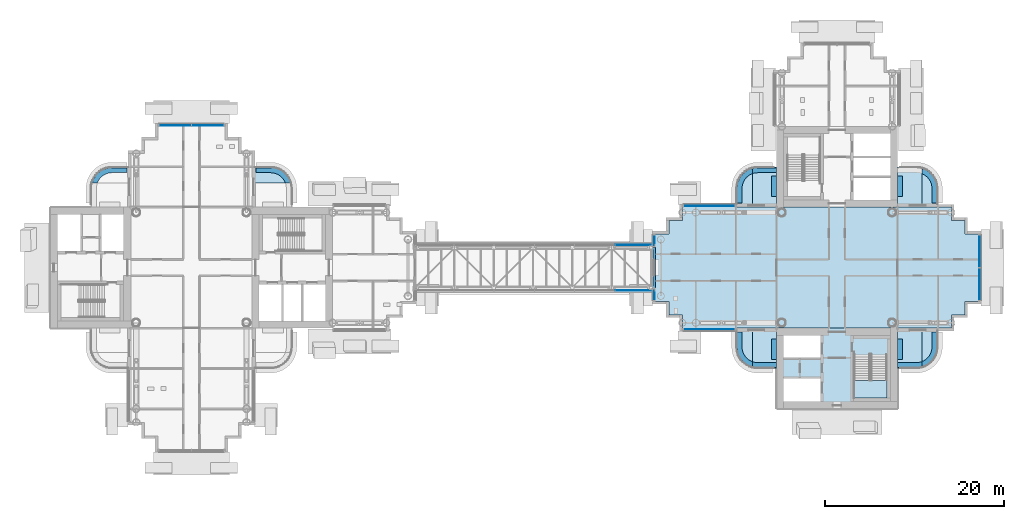
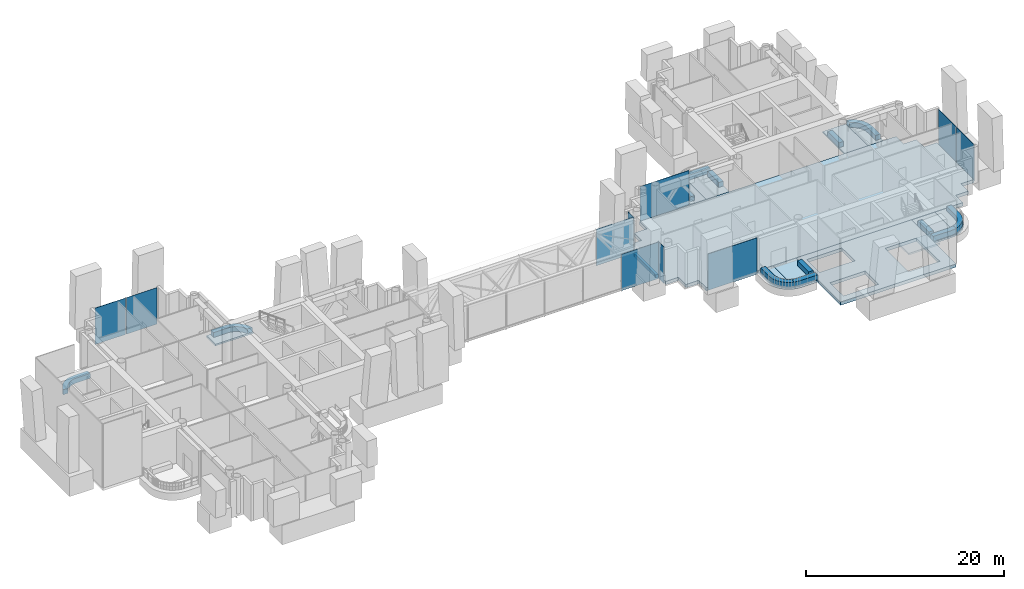
# One storey, part 10 of 26: 26 slabs, 10 plates, 9 elements without a shape of their own.
"""IFC4 building model written with IfcOpenShell, lengths in metres."""

from ifc_helpers import new_model, si_unit, direction, frame, origin, origin_2d, place, context, subcontext, project, spatial, polyline, rectangle, outline, extrude, material, layer, layer_set, type_object, element, aggregate, save


model = new_model("IFC4")

# Units and contexts
model_context = context("Model", 3, precision=1e-05, world=origin(), true_north=direction((0.0, 1.0)))
body_context = subcontext(model_context, "Body", "Model", "MODEL_VIEW")
ifc_project = project(units=[si_unit("LENGTHUNIT", "METRE"), si_unit("AREAUNIT", "SQUARE_METRE"), si_unit("VOLUMEUNIT", "CUBIC_METRE"), si_unit("PLANEANGLEUNIT", "RADIAN"), si_unit("MASSUNIT", "GRAM", prefix="KILO")], contexts=[model_context])

# Site, building, storey
site_placement = place(None, origin())
site = spatial("IfcSite", under=ifc_project, at=site_placement, CompositionType="ELEMENT")
building_placement = place(site_placement, origin())
building = spatial("IfcBuilding", under=site, at=building_placement, Name="Ipe Terrace Towers", CompositionType="ELEMENT")
storey_placement = place(building_placement, frame((0.0, 0.0, 181.300048828125)))
storey = spatial("IfcBuildingStorey", under=building, at=storey_placement, Name="L50", CompositionType="ELEMENT", Elevation=181.300048828125)

# Slabs
ifc_material_1 = material(Name="Concrete C30/37", Category="concrete")
ifc_layer_1 = layer(ifc_material_1, 0.199951171875)
ifc_layer_set_1 = layer_set([ifc_layer_1], Name="BALCONY SLAB 200")
slab_type_1 = type_object("IfcSlabType", Name="BALCONY SLAB 200", PredefinedType="FLOOR", material=ifc_layer_set_1)
slab_1_placement = place(storey_placement, frame((0.0, 0.0, -0.219970703125)))
element("IfcSlab", 1, at=slab_1_placement, inside=storey, type_object=slab_type_1, Name="balcony slab", PredefinedType="FLOOR", context=body_context, shape_type="SweptSolid", body=[
    extrude(outline(polyline([(-29.25, 11.25), (-29.25, 9.449951171875), (-24.827880859375, 9.449951171875), (-24.83203125, 9.470947265625), (-24.93310546875, 9.76806640625), (-25.072021484375, 10.050048828125), (-25.24609375, 10.31103515625), (-25.452880859375, 10.547119140625), (-25.68896484375, 10.75390625), (-25.949951171875, 10.927978515625), (-26.23193359375, 11.06689453125), (-26.529052734375, 11.16796875), (-26.8369140625, 11.22900390625), (-27.14990234375, 11.25), (-29.25, 11.25)])), origin(), (0.0, 0.0, 1.0), 0.199951171875),
])
slab_2_placement = place(storey_placement, frame((0.0, 0.0, -0.219970703125)))
element("IfcSlab", 2, at=slab_2_placement, inside=storey, type_object=slab_type_1, Name="balcony slab", PredefinedType="FLOOR", context=body_context, shape_type="SweptSolid", body=[
    extrude(outline(polyline([(26.8369140625, -11.22900390625), (27.14990234375, -11.25), (29.25, -11.25), (29.25, -6.75), (26.550048828125, -6.75), (26.550048828125, -11.172119140625), (26.8369140625, -11.22900390625)])), origin(), (0.0, 0.0, 1.0), 0.199951171875),
])
slab_3_placement = place(storey_placement, frame((0.0, 0.0, -0.219970703125)))
element("IfcSlab", 3, at=slab_3_placement, inside=storey, type_object=slab_type_1, Name="balcony slab", PredefinedType="FLOOR", context=body_context, shape_type="SweptSolid", body=[
    extrude(outline(polyline([(24.75, -6.75), (24.75, -8.85009765625), (24.77099609375, -9.1630859375), (24.83203125, -9.470947265625), (24.93310546875, -9.76806640625), (25.072021484375, -10.050048828125), (25.24609375, -10.31103515625), (25.452880859375, -10.547119140625), (25.68896484375, -10.75390625), (25.949951171875, -10.927978515625), (26.23193359375, -11.06689453125), (26.529052734375, -11.16796875), (26.550048828125, -11.172119140625), (26.550048828125, -6.75), (24.75, -6.75)])), origin(), (0.0, 0.0, 1.0), 0.199951171875),
])
slab_4_placement = place(storey_placement, frame((0.0, 0.0, -0.219970703125)))
element("IfcSlab", 4, at=slab_4_placement, inside=storey, type_object=slab_type_1, Name="balcony slab", PredefinedType="FLOOR", context=body_context, shape_type="SweptSolid", body=[
    extrude(outline(polyline([(26.8369140625, 11.22900390625), (26.550048828125, 11.172119140625), (26.550048828125, 6.75), (29.25, 6.75), (29.25, 11.25), (27.14990234375, 11.25), (26.8369140625, 11.22900390625)])), origin(), (0.0, 0.0, 1.0), 0.199951171875),
])
slab_5_placement = place(storey_placement, frame((0.0, 0.0, -0.219970703125)))
element("IfcSlab", 5, at=slab_5_placement, inside=storey, type_object=slab_type_1, Name="balcony slab", PredefinedType="FLOOR", context=body_context, shape_type="SweptSolid", body=[
    extrude(outline(polyline([(24.75, 6.75), (26.550048828125, 6.75), (26.550048828125, 11.172119140625), (26.529052734375, 11.16796875), (26.23193359375, 11.06689453125), (25.949951171875, 10.927978515625), (25.68896484375, 10.75390625), (25.452880859375, 10.547119140625), (25.24609375, 10.31103515625), (25.072021484375, 10.050048828125), (24.93310546875, 9.76806640625), (24.83203125, 9.470947265625), (24.77099609375, 9.1630859375), (24.75, 8.85009765625), (24.75, 6.75)])), origin(), (0.0, 0.0, 1.0), 0.199951171875),
])
slab_6_placement = place(storey_placement, frame((0.0, 0.0, -0.219970703125)))
element("IfcSlab", 6, at=slab_6_placement, inside=storey, type_object=slab_type_1, Name="balcony slab", PredefinedType="FLOOR", context=body_context, shape_type="SweptSolid", body=[
    extrude(outline(polyline([(45.1630859375, -11.22900390625), (45.449951171875, -11.172119140625), (45.449951171875, -6.75), (42.75, -6.75), (42.75, -11.25), (44.85009765625, -11.25), (45.1630859375, -11.22900390625)])), origin(), (0.0, 0.0, 1.0), 0.199951171875),
])
slab_7_placement = place(storey_placement, frame((0.0, 0.0, -0.219970703125)))
element("IfcSlab", 7, at=slab_7_placement, inside=storey, type_object=slab_type_1, Name="balcony slab", PredefinedType="FLOOR", context=body_context, shape_type="SweptSolid", body=[
    extrude(outline(polyline([(47.25, -6.75), (45.449951171875, -6.75), (45.449951171875, -11.172119140625), (45.470947265625, -11.16796875), (45.76806640625, -11.06689453125), (46.050048828125, -10.927978515625), (46.31103515625, -10.75390625), (46.547119140625, -10.547119140625), (46.75390625, -10.31103515625), (46.927978515625, -10.050048828125), (47.06689453125, -9.76806640625), (47.16796875, -9.470947265625), (47.22900390625, -9.1630859375), (47.25, -8.85009765625), (47.25, -6.75)])), origin(), (0.0, 0.0, 1.0), 0.199951171875),
])
slab_8_placement = place(storey_placement, frame((0.0, 0.0, -0.219970703125)))
element("IfcSlab", 8, at=slab_8_placement, inside=storey, type_object=slab_type_1, Name="balcony slab", PredefinedType="FLOOR", context=body_context, shape_type="SweptSolid", body=[
    extrude(outline(polyline([(45.1630859375, 11.22900390625), (44.85009765625, 11.25), (42.75, 11.25), (42.75, 6.75), (45.449951171875, 6.75), (45.449951171875, 11.172119140625), (45.1630859375, 11.22900390625)])), origin(), (0.0, 0.0, 1.0), 0.199951171875),
])
slab_9_placement = place(storey_placement, frame((0.0, 0.0, -0.219970703125)))
element("IfcSlab", 9, at=slab_9_placement, inside=storey, type_object=slab_type_1, Name="balcony slab", PredefinedType="FLOOR", context=body_context, shape_type="SweptSolid", body=[
    extrude(outline(polyline([(47.25, 6.75), (47.25, 8.85009765625), (47.22900390625, 9.1630859375), (47.16796875, 9.470947265625), (47.06689453125, 9.76806640625), (46.927978515625, 10.050048828125), (46.75390625, 10.31103515625), (46.547119140625, 10.547119140625), (46.31103515625, 10.75390625), (46.050048828125, 10.927978515625), (45.76806640625, 11.06689453125), (45.470947265625, 11.16796875), (45.449951171875, 11.172119140625), (45.449951171875, 6.75), (47.25, 6.75)])), origin(), (0.0, 0.0, 1.0), 0.199951171875),
])

# Curtain wall, plate
ifc_material_2 = material(Name="Aluminium alloy 6063-T6", Category="aluminium")
ifc_layer_2 = layer(ifc_material_2, 0.300048828125)
ifc_layer_set_2 = layer_set([ifc_layer_2], Name="BRIDGE ENCLOSURE CURTAIN WALL")
curtain_wall_type_1 = type_object("IfcCurtainWallType", Name="BRIDGE ENCLOSURE CURTAIN WALL", PredefinedType="NOTDEFINED", material=ifc_layer_set_2)
curtain_wall_1_placement = place(storey_placement, origin())
curtain_wall_1 = element("IfcCurtainWall", 10, at=curtain_wall_1_placement, inside=storey, type_object=curtain_wall_type_1, Name="BR3-CW1 curtain wall", PredefinedType="NOTDEFINED")
ifc_material_3 = material(Name="Glass, clear laminated", Category="glass")
ifc_layer_3 = layer(ifc_material_3, 0.035888671875)
ifc_layer_set_3 = layer_set([ifc_layer_3], Name="BRIDGE ENCLOSURE GLASS PANEL 36")
plate_type_1 = type_object("IfcPlateType", Name="BRIDGE ENCLOSURE GLASS PANEL 36", PredefinedType="CURTAIN_PANEL", material=ifc_layer_set_3)
plate_1_placement = place(storey_placement, frame((13.470947265625, 2.544921875, -0.300048828125), z_axis=(0.0, 0.0, 1.0), x_axis=(-1.0, 0.0, 0.0)))
plate_1 = element("IfcPlate", 11, at=plate_1_placement, type_object=plate_type_1, Name="BR3-CW1 panel 1", PredefinedType="CURTAIN_PANEL", context=body_context, shape_type="SweptSolid", body=[
    extrude(rectangle(XDim=4.418212890625, YDim=0.035888671875, at=origin_2d()), origin(), (0.0, 0.0, 1.0), 4.5),
])
aggregate(curtain_wall_1, [plate_1])

curtain_wall_2_placement = place(storey_placement, origin())
curtain_wall_2 = element("IfcCurtainWall", 12, at=curtain_wall_2_placement, inside=storey, type_object=curtain_wall_type_1, Name="BR3-CW2 curtain wall", PredefinedType="NOTDEFINED")
plate_2_placement = place(storey_placement, frame((13.470947265625, -2.544921875, -0.300048828125), z_axis=(0.0, 0.0, 1.0), x_axis=(1.0, 0.0, 0.0)))
plate_2 = element("IfcPlate", 13, at=plate_2_placement, type_object=plate_type_1, Name="BR3-CW2 panel 6", PredefinedType="CURTAIN_PANEL", context=body_context, shape_type="SweptSolid", body=[
    extrude(rectangle(XDim=4.418212890625, YDim=0.035888671875, at=origin_2d()), origin(), (0.0, 0.0, 1.0), 4.5),
])
aggregate(curtain_wall_2, [plate_2])

# Slab
ifc_material_4 = material(Name="Concrete C30/37", Category="concrete")
ifc_layer_4 = layer(ifc_material_4, 0.39990234375)
ifc_layer_set_4 = layer_set([ifc_layer_4], Name="CORE FLOOR SLAB 400 C30-37")
slab_type_2 = type_object("IfcSlabType", Name="CORE FLOOR SLAB 400 C30-37", PredefinedType="FLOOR", material=ifc_layer_set_4)
slab_10_placement = place(storey_placement, frame((0.0, 0.0, -0.400146484375)))
element("IfcSlab", 14, at=slab_10_placement, inside=storey, type_object=slab_type_2, Name="Core floor T2-C2", PredefinedType="FLOOR", context=body_context, shape_type="SweptSolid", body=[
    extrude(outline(polyline([(29.25, -15.75), (29.25, -6.75), (42.75, -6.75), (42.75, -15.75), (29.25, -15.75)]), holes=[polyline([(30.050048828125, -12.25), (30.050048828125, -14.949951171875), (34.14990234375, -14.949951171875), (34.14990234375, -12.25), (30.050048828125, -12.25)]), polyline([(41.550048828125, -9.800048828125), (37.89990234375, -9.800048828125), (37.89990234375, -14.550048828125), (41.550048828125, -14.550048828125), (41.550048828125, -9.800048828125)]), polyline([(34.14990234375, -7.550048828125), (30.050048828125, -7.550048828125), (30.050048828125, -10.14990234375), (34.14990234375, -10.14990234375), (34.14990234375, -7.550048828125)])]), origin(), (0.0, 0.0, 1.0), 0.400146484375),
])

# Stair, slab
ifc_material_5 = material(Name="Concrete C30/37", Category="concrete")
stair_type = type_object("IfcStairType", Name="Protected exit stair", PredefinedType="HALF_TURN_STAIR", material=ifc_material_5)
stair_placement = place(storey_placement, origin())
stair = element("IfcStair", 15, at=stair_placement, inside=storey, type_object=stair_type, Name="L50 Exit stair T2-C2", PredefinedType="HALF_TURN_STAIR")
ifc_material_6 = material(Name="Concrete C30/37", Category="concrete")
ifc_layer_5 = layer(ifc_material_6, 0.199951171875)
ifc_layer_set_5 = layer_set([ifc_layer_5], Name="Exit stair landing 200")
slab_type_3 = type_object("IfcSlabType", Name="Exit stair landing 200", PredefinedType="LANDING", material=ifc_layer_set_5)
slab_11_placement = place(storey_placement, frame((0.0, 0.0, 2.050048828125)))
slab_11 = element("IfcSlab", 16, at=slab_11_placement, type_object=slab_type_3, Name="T2-ST2 landing 1", PredefinedType="LANDING", context=body_context, shape_type="SweptSolid", body=[
    extrude(outline(polyline([(37.89990234375, -12.56005859375), (37.89990234375, -14.550048828125), (41.550048828125, -14.550048828125), (41.550048828125, -12.56005859375), (37.89990234375, -12.56005859375)])), origin(), (0.0, 0.0, 1.0), 0.199951171875),
])
aggregate(stair, [slab_11])

# Slabs
ifc_material_7 = material(Name="Concrete C40/50", Category="concrete")
ifc_layer_6 = layer(ifc_material_7, 0.39990234375)
ifc_layer_set_6 = layer_set([ifc_layer_6], Name="FLAT PLATE SLAB 400 C40-50")
slab_type_4 = type_object("IfcSlabType", Name="FLAT PLATE SLAB 400 C40-50", PredefinedType="FLOOR", material=ifc_layer_set_6)
slab_12_placement = place(storey_placement, frame((0.0, 0.0, -0.400146484375)))
element("IfcSlab", 17, at=slab_12_placement, inside=storey, type_object=slab_type_4, Name="Slab T2-FS-Z31", PredefinedType="FLOOR", context=body_context, shape_type="SweptSolid", body=[
    extrude(outline(polyline([(48.75, 5.25), (50.25, 5.25), (50.25, 3.75), (51.75, 3.75), (51.75, -3.75), (50.25, -3.75), (50.25, -5.25), (48.75, -5.25), (48.75, -6.75), (42.75, -6.75), (29.25, -6.75), (18.75, -6.75), (18.75, -5.25), (17.25, -5.25), (17.25, -3.75), (15.75, -3.75), (15.75, 3.75), (17.25, 3.75), (17.25, 5.25), (18.75, 5.25), (18.75, 6.75), (29.25, 6.75), (42.75, 6.75), (48.75, 6.75), (48.75, 5.25)])), origin(), (0.0, 0.0, 1.0), 0.400146484375),
])
slab_13_placement = place(storey_placement, frame((0.0, 0.0, -0.400146484375)))
element("IfcSlab", 18, at=slab_13_placement, inside=storey, type_object=slab_type_4, Name="Slab ledge", PredefinedType="FLOOR", context=body_context, shape_type="SweptSolid", body=[
    extrude(outline(polyline([(15.75, -2.25), (15.429931640625, -2.25), (15.429931640625, -2.050048828125), (15.449951171875, -2.050048828125), (15.449951171875, 2.050048828125), (15.429931640625, 2.050048828125), (15.429931640625, 2.25), (15.75, 2.25), (15.75, -2.25)])), origin(), (0.0, 0.0, 1.0), 0.400146484375),
])
ifc_material_8 = material(Name="Concrete C30/37", Category="concrete")
ifc_layer_7 = layer(ifc_material_8, 0.60009765625)
ifc_layer_set_7 = layer_set([ifc_layer_7], Name="PLANTER TROUGH 550 x 600")
slab_type_5 = type_object("IfcSlabType", Name="PLANTER TROUGH 550 x 600", PredefinedType="USERDEFINED", material=ifc_layer_set_7)
slab_14_placement = place(storey_placement, frame((0.0, 0.0, -0.02001953125)))
element("IfcSlab", 19, at=slab_14_placement, inside=storey, type_object=slab_type_5, Name="planter", ObjectType="PLANTER", PredefinedType="USERDEFINED", context=body_context, shape_type="SweptSolid", body=[
    extrude(outline(polyline([(-46.4560546875, 9.514892578125), (-46.35595703125, 9.718994140625), (-46.22900390625, 9.907958984375), (-46.0791015625, 10.0791015625), (-45.907958984375, 10.22900390625), (-45.718994140625, 10.35595703125), (-45.514892578125, 10.4560546875), (-45.300048828125, 10.529052734375), (-45.076904296875, 10.573974609375), (-44.827880859375, 10.590087890625), (-43.199951171875, 10.590087890625), (-43.199951171875, 11.139892578125), (-44.8369140625, 11.139892578125), (-44.85498046875, 11.138916015625), (-45.131103515625, 11.12109375), (-45.1669921875, 11.116943359375), (-45.425048828125, 11.06494140625), (-45.4599609375, 11.055908203125), (-45.708984375, 10.970947265625), (-45.741943359375, 10.95703125), (-45.97900390625, 10.841064453125), (-46.010009765625, 10.822998046875), (-46.22900390625, 10.677001953125), (-46.257080078125, 10.655029296875), (-46.4560546875, 10.48095703125), (-46.48095703125, 10.4560546875), (-46.655029296875, 10.257080078125), (-46.677001953125, 10.22900390625), (-46.822998046875, 10.010009765625), (-46.841064453125, 9.97900390625), (-46.95703125, 9.741943359375), (-46.970947265625, 9.708984375), (-47.055908203125, 9.4599609375), (-47.05908203125, 9.449951171875), (-46.47802734375, 9.449951171875), (-46.4560546875, 9.514892578125)])), origin(), (0.0, 0.0, 1.0), 0.599853515625),
])
slab_15_placement = place(storey_placement, frame((0.0, 0.0, -0.02001953125)))
element("IfcSlab", 20, at=slab_15_placement, inside=storey, type_object=slab_type_5, Name="planter", ObjectType="PLANTER", PredefinedType="USERDEFINED", context=body_context, shape_type="SweptSolid", body=[
    extrude(outline(polyline([(-25.5439453125, 9.514892578125), (-25.52197265625, 9.449951171875), (-24.94091796875, 9.449951171875), (-24.944091796875, 9.4599609375), (-25.029052734375, 9.708984375), (-25.04296875, 9.741943359375), (-25.158935546875, 9.97900390625), (-25.177001953125, 10.010009765625), (-25.322998046875, 10.22900390625), (-25.344970703125, 10.257080078125), (-25.51904296875, 10.4560546875), (-25.5439453125, 10.48095703125), (-25.742919921875, 10.655029296875), (-25.77099609375, 10.677001953125), (-25.989990234375, 10.822998046875), (-26.02099609375, 10.841064453125), (-26.258056640625, 10.95703125), (-26.291015625, 10.970947265625), (-26.5400390625, 11.055908203125), (-26.574951171875, 11.06494140625), (-26.8330078125, 11.116943359375), (-26.868896484375, 11.12109375), (-27.14501953125, 11.138916015625), (-27.1630859375, 11.139892578125), (-28.800048828125, 11.139892578125), (-28.800048828125, 10.590087890625), (-27.172119140625, 10.590087890625), (-26.923095703125, 10.573974609375), (-26.699951171875, 10.529052734375), (-26.485107421875, 10.4560546875), (-26.281005859375, 10.35595703125), (-26.092041015625, 10.22900390625), (-25.9208984375, 10.0791015625), (-25.77099609375, 9.907958984375), (-25.64404296875, 9.718994140625), (-25.5439453125, 9.514892578125)])), origin(), (0.0, 0.0, 1.0), 0.599853515625),
])
slab_16_placement = place(storey_placement, frame((0.0, 0.0, -0.02001953125)))
element("IfcSlab", 21, at=slab_16_placement, inside=storey, type_object=slab_type_5, Name="planter", ObjectType="PLANTER", PredefinedType="USERDEFINED", context=body_context, shape_type="SweptSolid", body=[
    extrude(outline(polyline([(26.699951171875, -10.529052734375), (26.550048828125, -10.47802734375), (26.550048828125, -11.05908203125), (26.574951171875, -11.06494140625), (26.8330078125, -11.116943359375), (26.868896484375, -11.12109375), (27.14501953125, -11.138916015625), (27.1630859375, -11.139892578125), (29.25, -11.139892578125), (29.25, -10.590087890625), (27.172119140625, -10.590087890625), (26.923095703125, -10.573974609375), (26.699951171875, -10.529052734375)])), origin(), (0.0, 0.0, 1.0), 0.599853515625),
])
slab_17_placement = place(storey_placement, frame((0.0, 0.0, -0.02001953125)))
element("IfcSlab", 22, at=slab_17_placement, inside=storey, type_object=slab_type_5, Name="planter", ObjectType="PLANTER", PredefinedType="USERDEFINED", context=body_context, shape_type="SweptSolid", body=[
    extrude(outline(polyline([(26.485107421875, -10.4560546875), (26.281005859375, -10.35595703125), (26.092041015625, -10.22900390625), (25.9208984375, -10.0791015625), (25.77099609375, -9.907958984375), (25.64404296875, -9.718994140625), (25.5439453125, -9.514892578125), (25.470947265625, -9.300048828125), (25.426025390625, -9.076904296875), (25.409912109375, -8.827880859375), (25.409912109375, -7.199951171875), (24.860107421875, -7.199951171875), (24.860107421875, -8.8369140625), (24.861083984375, -8.85498046875), (24.87890625, -9.131103515625), (24.883056640625, -9.1669921875), (24.93505859375, -9.425048828125), (24.944091796875, -9.4599609375), (25.029052734375, -9.708984375), (25.04296875, -9.741943359375), (25.158935546875, -9.97900390625), (25.177001953125, -10.010009765625), (25.322998046875, -10.22900390625), (25.344970703125, -10.257080078125), (25.51904296875, -10.4560546875), (25.5439453125, -10.48095703125), (25.742919921875, -10.655029296875), (25.77099609375, -10.677001953125), (25.989990234375, -10.822998046875), (26.02099609375, -10.841064453125), (26.258056640625, -10.95703125), (26.291015625, -10.970947265625), (26.5400390625, -11.055908203125), (26.550048828125, -11.05908203125), (26.550048828125, -10.47802734375), (26.485107421875, -10.4560546875)])), origin(), (0.0, 0.0, 1.0), 0.599853515625),
])
slab_18_placement = place(storey_placement, frame((0.0, 0.0, -0.02001953125)))
element("IfcSlab", 23, at=slab_18_placement, inside=storey, type_object=slab_type_5, Name="planter", ObjectType="PLANTER", PredefinedType="USERDEFINED", context=body_context, shape_type="SweptSolid", body=[
    extrude(outline(polyline([(29.25, -7.949951171875), (28.699951171875, -7.949951171875), (28.699951171875, -10.25), (29.25, -10.25), (29.25, -7.949951171875)])), origin(), (0.0, 0.0, 1.0), 0.599853515625),
])
slab_19_placement = place(storey_placement, frame((0.0, 0.0, -0.02001953125)))
element("IfcSlab", 24, at=slab_19_placement, inside=storey, type_object=slab_type_5, Name="planter", ObjectType="PLANTER", PredefinedType="USERDEFINED", context=body_context, shape_type="SweptSolid", body=[
    extrude(outline(polyline([(26.699951171875, 10.529052734375), (26.923095703125, 10.573974609375), (27.172119140625, 10.590087890625), (29.25, 10.590087890625), (29.25, 11.139892578125), (27.1630859375, 11.139892578125), (27.14501953125, 11.138916015625), (26.868896484375, 11.12109375), (26.8330078125, 11.116943359375), (26.574951171875, 11.06494140625), (26.550048828125, 11.05908203125), (26.550048828125, 10.47802734375), (26.699951171875, 10.529052734375)])), origin(), (0.0, 0.0, 1.0), 0.599853515625),
])
slab_20_placement = place(storey_placement, frame((0.0, 0.0, -0.02001953125)))
element("IfcSlab", 25, at=slab_20_placement, inside=storey, type_object=slab_type_5, Name="planter", ObjectType="PLANTER", PredefinedType="USERDEFINED", context=body_context, shape_type="SweptSolid", body=[
    extrude(outline(polyline([(26.485107421875, 10.4560546875), (26.550048828125, 10.47802734375), (26.550048828125, 11.05908203125), (26.5400390625, 11.055908203125), (26.291015625, 10.970947265625), (26.258056640625, 10.95703125), (26.02099609375, 10.841064453125), (25.989990234375, 10.822998046875), (25.77099609375, 10.677001953125), (25.742919921875, 10.655029296875), (25.5439453125, 10.48095703125), (25.51904296875, 10.4560546875), (25.344970703125, 10.257080078125), (25.322998046875, 10.22900390625), (25.177001953125, 10.010009765625), (25.158935546875, 9.97900390625), (25.04296875, 9.741943359375), (25.029052734375, 9.708984375), (24.944091796875, 9.4599609375), (24.93505859375, 9.425048828125), (24.883056640625, 9.1669921875), (24.87890625, 9.131103515625), (24.861083984375, 8.85498046875), (24.860107421875, 8.8369140625), (24.860107421875, 7.199951171875), (25.409912109375, 7.199951171875), (25.409912109375, 8.827880859375), (25.426025390625, 9.076904296875), (25.470947265625, 9.300048828125), (25.5439453125, 9.514892578125), (25.64404296875, 9.718994140625), (25.77099609375, 9.907958984375), (25.9208984375, 10.0791015625), (26.092041015625, 10.22900390625), (26.281005859375, 10.35595703125), (26.485107421875, 10.4560546875)])), origin(), (0.0, 0.0, 1.0), 0.599853515625),
])
slab_21_placement = place(storey_placement, frame((0.0, 0.0, -0.02001953125)))
element("IfcSlab", 26, at=slab_21_placement, inside=storey, type_object=slab_type_5, Name="planter", ObjectType="PLANTER", PredefinedType="USERDEFINED", context=body_context, shape_type="SweptSolid", body=[
    extrude(outline(polyline([(29.25, 7.949951171875), (29.25, 10.25), (28.699951171875, 10.25), (28.699951171875, 7.949951171875), (29.25, 7.949951171875)])), origin(), (0.0, 0.0, 1.0), 0.599853515625),
])
slab_22_placement = place(storey_placement, frame((0.0, 0.0, -0.02001953125)))
element("IfcSlab", 27, at=slab_22_placement, inside=storey, type_object=slab_type_5, Name="planter", ObjectType="PLANTER", PredefinedType="USERDEFINED", context=body_context, shape_type="SweptSolid", body=[
    extrude(outline(polyline([(45.300048828125, -10.529052734375), (45.076904296875, -10.573974609375), (44.827880859375, -10.590087890625), (42.75, -10.590087890625), (42.75, -11.139892578125), (44.8369140625, -11.139892578125), (44.85498046875, -11.138916015625), (45.131103515625, -11.12109375), (45.1669921875, -11.116943359375), (45.425048828125, -11.06494140625), (45.449951171875, -11.05908203125), (45.449951171875, -10.47802734375), (45.300048828125, -10.529052734375)])), origin(), (0.0, 0.0, 1.0), 0.599853515625),
])
slab_23_placement = place(storey_placement, frame((0.0, 0.0, -0.02001953125)))
element("IfcSlab", 28, at=slab_23_placement, inside=storey, type_object=slab_type_5, Name="planter", ObjectType="PLANTER", PredefinedType="USERDEFINED", context=body_context, shape_type="SweptSolid", body=[
    extrude(outline(polyline([(45.514892578125, -10.4560546875), (45.449951171875, -10.47802734375), (45.449951171875, -11.05908203125), (45.4599609375, -11.055908203125), (45.708984375, -10.970947265625), (45.741943359375, -10.95703125), (45.97900390625, -10.841064453125), (46.010009765625, -10.822998046875), (46.22900390625, -10.677001953125), (46.257080078125, -10.655029296875), (46.4560546875, -10.48095703125), (46.48095703125, -10.4560546875), (46.655029296875, -10.257080078125), (46.677001953125, -10.22900390625), (46.822998046875, -10.010009765625), (46.841064453125, -9.97900390625), (46.95703125, -9.741943359375), (46.970947265625, -9.708984375), (47.055908203125, -9.4599609375), (47.06494140625, -9.425048828125), (47.116943359375, -9.1669921875), (47.12109375, -9.131103515625), (47.138916015625, -8.85498046875), (47.139892578125, -8.8369140625), (47.139892578125, -7.199951171875), (46.590087890625, -7.199951171875), (46.590087890625, -8.827880859375), (46.573974609375, -9.076904296875), (46.529052734375, -9.300048828125), (46.4560546875, -9.514892578125), (46.35595703125, -9.718994140625), (46.22900390625, -9.907958984375), (46.0791015625, -10.0791015625), (45.907958984375, -10.22900390625), (45.718994140625, -10.35595703125), (45.514892578125, -10.4560546875)])), origin(), (0.0, 0.0, 1.0), 0.599853515625),
])
slab_24_placement = place(storey_placement, frame((0.0, 0.0, -0.02001953125)))
element("IfcSlab", 29, at=slab_24_placement, inside=storey, type_object=slab_type_5, Name="planter", ObjectType="PLANTER", PredefinedType="USERDEFINED", context=body_context, shape_type="SweptSolid", body=[
    extrude(outline(polyline([(42.75, -7.949951171875), (42.75, -10.25), (43.300048828125, -10.25), (43.300048828125, -7.949951171875), (42.75, -7.949951171875)])), origin(), (0.0, 0.0, 1.0), 0.599853515625),
])
slab_25_placement = place(storey_placement, frame((0.0, 0.0, -0.02001953125)))
element("IfcSlab", 30, at=slab_25_placement, inside=storey, type_object=slab_type_5, Name="planter", ObjectType="PLANTER", PredefinedType="USERDEFINED", context=body_context, shape_type="SweptSolid", body=[
    extrude(outline(polyline([(45.514892578125, 10.4560546875), (45.718994140625, 10.35595703125), (45.907958984375, 10.22900390625), (46.0791015625, 10.0791015625), (46.22900390625, 9.907958984375), (46.35595703125, 9.718994140625), (46.4560546875, 9.514892578125), (46.529052734375, 9.300048828125), (46.573974609375, 9.076904296875), (46.590087890625, 8.827880859375), (46.590087890625, 7.199951171875), (47.139892578125, 7.199951171875), (47.139892578125, 8.8369140625), (47.138916015625, 8.85498046875), (47.12109375, 9.131103515625), (47.116943359375, 9.1669921875), (47.06494140625, 9.425048828125), (47.055908203125, 9.4599609375), (46.970947265625, 9.708984375), (46.95703125, 9.741943359375), (46.841064453125, 9.97900390625), (46.822998046875, 10.010009765625), (46.677001953125, 10.22900390625), (46.655029296875, 10.257080078125), (46.48095703125, 10.4560546875), (46.4560546875, 10.48095703125), (46.257080078125, 10.655029296875), (46.22900390625, 10.677001953125), (46.010009765625, 10.822998046875), (45.97900390625, 10.841064453125), (45.741943359375, 10.95703125), (45.708984375, 10.970947265625), (45.4599609375, 11.055908203125), (45.449951171875, 11.05908203125), (45.449951171875, 10.47802734375), (45.514892578125, 10.4560546875)])), origin(), (0.0, 0.0, 1.0), 0.599853515625),
])
slab_26_placement = place(storey_placement, frame((0.0, 0.0, -0.02001953125)))
element("IfcSlab", 31, at=slab_26_placement, inside=storey, type_object=slab_type_5, Name="planter", ObjectType="PLANTER", PredefinedType="USERDEFINED", context=body_context, shape_type="SweptSolid", body=[
    extrude(outline(polyline([(42.75, 7.949951171875), (43.300048828125, 7.949951171875), (43.300048828125, 10.25), (42.75, 10.25), (42.75, 7.949951171875)])), origin(), (0.0, 0.0, 1.0), 0.599853515625),
])

# Curtain wall, plates
ifc_material_9 = material(Name="Aluminium alloy 6063-T6", Category="aluminium")
ifc_layer_8 = layer(ifc_material_9, 0.320068359375)
ifc_layer_set_8 = layer_set([ifc_layer_8], Name="REFUGE FLOOR CURTAIN WALL")
curtain_wall_type_2 = type_object("IfcCurtainWallType", Name="REFUGE FLOOR CURTAIN WALL", PredefinedType="NOTDEFINED", material=ifc_layer_set_8)
curtain_wall_3_placement = place(storey_placement, origin())
curtain_wall_3 = element("IfcCurtainWall", 32, at=curtain_wall_3_placement, inside=storey, type_object=curtain_wall_type_2, Name="T1-CW-L50-34a curtain wall", PredefinedType="NOTDEFINED")
ifc_material_10 = material(Name="Glass, clear laminated", Category="glass")
ifc_layer_9 = layer(ifc_material_10, 0.035888671875)
ifc_layer_set_9 = layer_set([ifc_layer_9], Name="REFUGE FLOOR GLASS PANEL 36")
plate_type_2 = type_object("IfcPlateType", Name="REFUGE FLOOR GLASS PANEL 36", PredefinedType="CURTAIN_PANEL", material=ifc_layer_set_9)
plate_3_placement = place(storey_placement, frame((-34.17626953125, 15.8701171875, -0.300048828125), z_axis=(0.0, 0.0, 1.0), x_axis=(-1.0, 0.0, 0.0)))
plate_3 = element("IfcPlate", 33, at=plate_3_placement, type_object=plate_type_2, Name="T1-CW-L50-34a panel 1", PredefinedType="CURTAIN_PANEL", context=body_context, shape_type="SweptSolid", body=[
    extrude(rectangle(XDim=3.572509765625, YDim=0.035888671875, at=origin_2d()), origin(), (0.0, 0.0, 1.0), 4.5),
])
plate_4_placement = place(storey_placement, frame((-37.82373046875, 15.8701171875, -0.300048828125), z_axis=(0.0, 0.0, 1.0), x_axis=(-1.0, 0.0, 0.0)))
plate_4 = element("IfcPlate", 34, at=plate_4_placement, type_object=plate_type_2, Name="T1-CW-L50-34a panel 2", PredefinedType="CURTAIN_PANEL", context=body_context, shape_type="SweptSolid", body=[
    extrude(rectangle(XDim=3.572509765625, YDim=0.035888671875, at=origin_2d()), origin(), (0.0, 0.0, 1.0), 4.5),
])
aggregate(curtain_wall_3, [plate_3, plate_4])

curtain_wall_4_placement = place(storey_placement, origin())
curtain_wall_4 = element("IfcCurtainWall", 35, at=curtain_wall_4_placement, inside=storey, type_object=curtain_wall_type_2, Name="T2-CW-L50-08a curtain wall", PredefinedType="NOTDEFINED")
plate_5_placement = place(storey_placement, frame((51.8701171875, -1.82373046875, -0.300048828125), z_axis=(0.0, 0.0, 1.0), x_axis=(0.0, 1.0, 0.0)))
plate_5 = element("IfcPlate", 36, at=plate_5_placement, type_object=plate_type_2, Name="T2-CW-L50-08a panel 1", PredefinedType="CURTAIN_PANEL", context=body_context, shape_type="SweptSolid", body=[
    extrude(rectangle(XDim=3.572509765625, YDim=0.035888671875, at=origin_2d()), origin(), (0.0, 0.0, 1.0), 4.5),
])
plate_6_placement = place(storey_placement, frame((51.8701171875, 1.82373046875, -0.300048828125), z_axis=(0.0, 0.0, 1.0), x_axis=(0.0, 1.0, 0.0)))
plate_6 = element("IfcPlate", 37, at=plate_6_placement, type_object=plate_type_2, Name="T2-CW-L50-08a panel 2", PredefinedType="CURTAIN_PANEL", context=body_context, shape_type="SweptSolid", body=[
    extrude(rectangle(XDim=3.572509765625, YDim=0.035888671875, at=origin_2d()), origin(), (0.0, 0.0, 1.0), 4.5),
])
aggregate(curtain_wall_4, [plate_5, plate_6])

# Curtain wall, plate
curtain_wall_5_placement = place(storey_placement, origin())
curtain_wall_5 = element("IfcCurtainWall", 38, at=curtain_wall_5_placement, inside=storey, type_object=curtain_wall_type_2, Name="T2-CW-L50-34a curtain wall", PredefinedType="NOTDEFINED")
plate_7_placement = place(storey_placement, frame((15.6298828125, 3.0, -0.300048828125), z_axis=(0.0, 0.0, 1.0), x_axis=(0.0, -1.0, 0.0)))
plate_7 = element("IfcPlate", 39, at=plate_7_placement, type_object=plate_type_2, Name="T2-CW-L50-34a panel 1", PredefinedType="CURTAIN_PANEL", context=body_context, shape_type="SweptSolid", body=[
    extrude(rectangle(XDim=1.219970703125, YDim=0.035888671875, at=origin_2d()), origin(), (0.0, 0.0, 1.0), 4.5),
])
aggregate(curtain_wall_5, [plate_7])

curtain_wall_6_placement = place(storey_placement, origin())
curtain_wall_6 = element("IfcCurtainWall", 40, at=curtain_wall_6_placement, inside=storey, type_object=curtain_wall_type_2, Name="T2-CW-L50-34c curtain wall", PredefinedType="NOTDEFINED")
plate_8_placement = place(storey_placement, frame((15.6298828125, -3.0, -0.300048828125), z_axis=(0.0, 0.0, 1.0), x_axis=(0.0, -1.0, 0.0)))
plate_8 = element("IfcPlate", 41, at=plate_8_placement, type_object=plate_type_2, Name="T2-CW-L50-34c panel 1", PredefinedType="CURTAIN_PANEL", context=body_context, shape_type="SweptSolid", body=[
    extrude(rectangle(XDim=1.219970703125, YDim=0.035888671875, at=origin_2d()), origin(), (0.0, 0.0, 1.0), 4.5),
])
aggregate(curtain_wall_6, [plate_8])

curtain_wall_7_placement = place(storey_placement, origin())
curtain_wall_7 = element("IfcCurtainWall", 42, at=curtain_wall_7_placement, inside=storey, type_object=curtain_wall_type_2, Name="T2-CW-L50-29a curtain wall", PredefinedType="NOTDEFINED")
ifc_material_11 = material(Name="Insulated spandrel panel, stone-effect cladding", Category="masonry")
ifc_layer_10 = layer(ifc_material_11, 0.035888671875)
ifc_layer_set_10 = layer_set([ifc_layer_10], Name="REFUGE FLOOR SPANDREL PANEL 36")
plate_type_3 = type_object("IfcPlateType", Name="REFUGE FLOOR SPANDREL PANEL 36", PredefinedType="CURTAIN_PANEL", material=ifc_layer_set_10)
plate_9_placement = place(storey_placement, frame((21.75, 6.8701171875, -0.300048828125), z_axis=(0.0, 0.0, 1.0), x_axis=(-1.0, 0.0, 0.0)))
plate_9 = element("IfcPlate", 43, at=plate_9_placement, type_object=plate_type_3, Name="T2-CW-L50-29a panel 1", PredefinedType="CURTAIN_PANEL", context=body_context, shape_type="SweptSolid", body=[
    extrude(rectangle(XDim=5.719970703125, YDim=0.035888671875, at=origin_2d()), origin(), (0.0, 0.0, 1.0), 4.5),
])
aggregate(curtain_wall_7, [plate_9])

curtain_wall_8_placement = place(storey_placement, origin())
curtain_wall_8 = element("IfcCurtainWall", 44, at=curtain_wall_8_placement, inside=storey, type_object=curtain_wall_type_2, Name="T2-CW-L50-39a curtain wall", PredefinedType="NOTDEFINED")
plate_10_placement = place(storey_placement, frame((21.75, -6.8701171875, -0.300048828125), z_axis=(0.0, 0.0, 1.0), x_axis=(1.0, 0.0, 0.0)))
plate_10 = element("IfcPlate", 45, at=plate_10_placement, type_object=plate_type_3, Name="T2-CW-L50-39a panel 1", PredefinedType="CURTAIN_PANEL", context=body_context, shape_type="SweptSolid", body=[
    extrude(rectangle(XDim=5.719970703125, YDim=0.035888671875, at=origin_2d()), origin(), (0.0, 0.0, 1.0), 4.5),
])
aggregate(curtain_wall_8, [plate_10])

save(model, "model.ifc")
